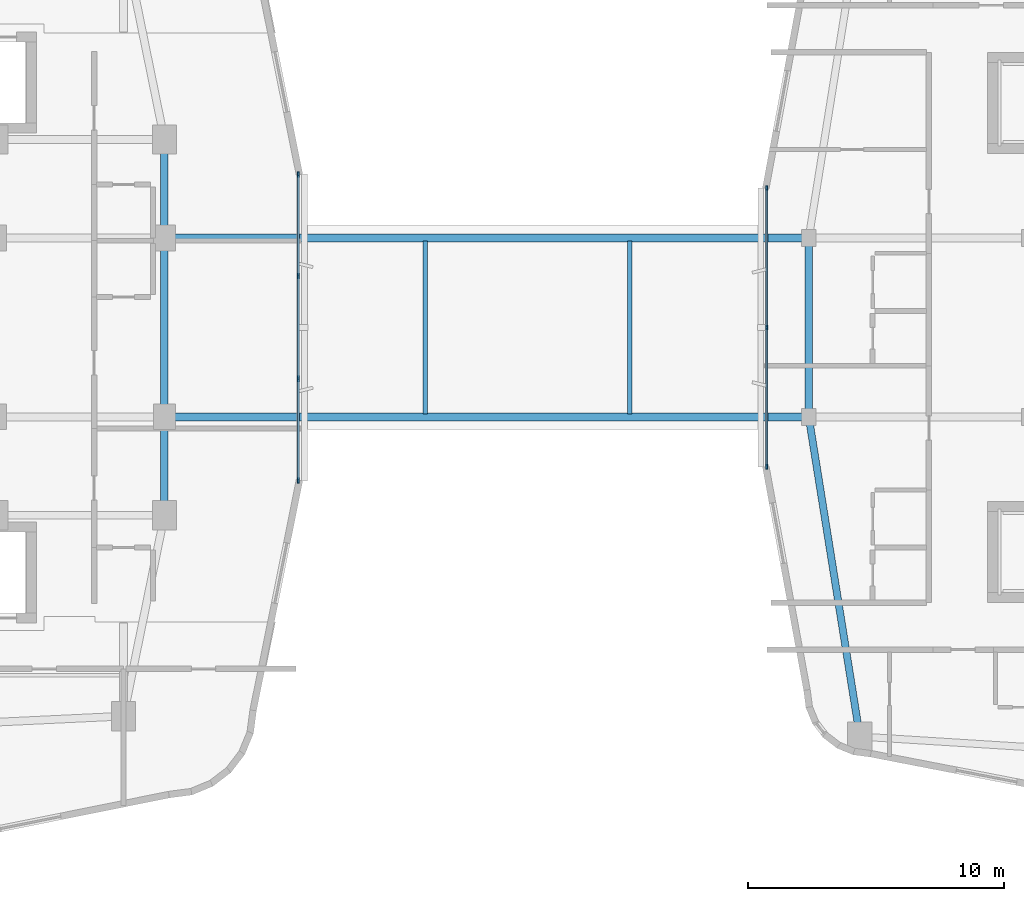
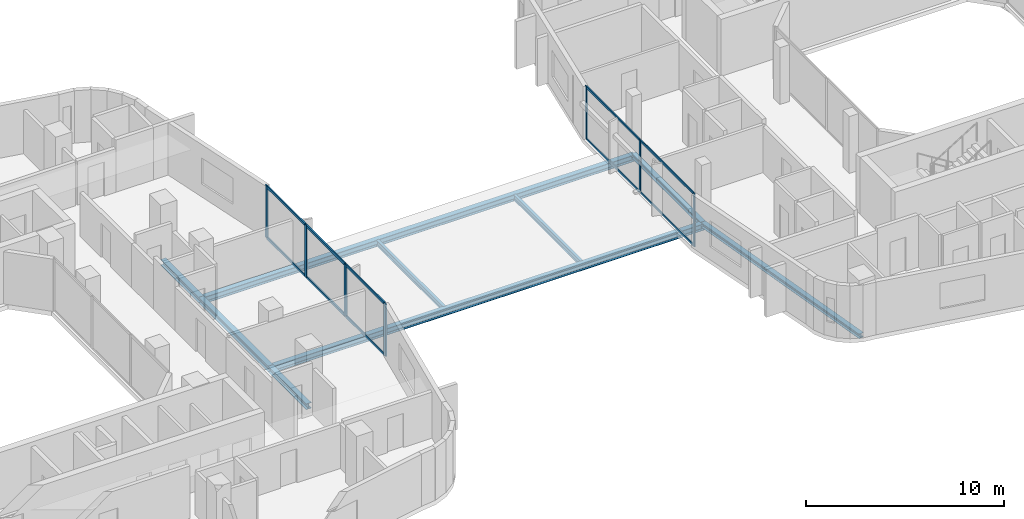
# One storey, part 4 of 22: 17 members, 9 beams, 2 elements without a shape of their own.
"""IFC4 building model written with IfcOpenShell, lengths in metres."""

from ifc_helpers import new_model, si_unit, derived_unit, direction, frame, origin, origin_2d, place, context, subcontext, project, spatial, rectangle, i_section, extrude, material, layer, layer_set, material_profile, profile_set, type_object, element, aggregate, save


model = new_model("IFC4")

# Units and contexts
model_context = context("Model", 3, precision=1e-05, world=origin(), true_north=direction((0.0, 1.0)))
body_context = subcontext(model_context, "Body", "Model", "MODEL_VIEW")
ifc_project = project(units=[si_unit("LENGTHUNIT", "METRE"), si_unit("AREAUNIT", "SQUARE_METRE"), si_unit("VOLUMEUNIT", "CUBIC_METRE"), si_unit("PLANEANGLEUNIT", "RADIAN"), si_unit("MASSUNIT", "GRAM", prefix="KILO"), derived_unit("THERMALTRANSMITTANCEUNIT", [(si_unit("POWERUNIT", "WATT"), 1), (si_unit("LENGTHUNIT", "METRE"), -2), (si_unit("THERMODYNAMICTEMPERATUREUNIT", "KELVIN"), -1)])], contexts=[model_context])

# Site, building, storey
site_placement = place(None, origin())
site = spatial("IfcSite", under=ifc_project, at=site_placement, CompositionType="ELEMENT")
building_placement = place(site_placement, origin())
building = spatial("IfcBuilding", under=site, at=building_placement, Name="Kivonza Crest Hotel", CompositionType="ELEMENT")
storey_placement = place(building_placement, frame((0.0, 0.0, 124.0)))
storey = spatial("IfcBuildingStorey", under=building, at=storey_placement, Name="L33", CompositionType="ELEMENT", Elevation=124.0)

# Beams
ifc_material_1 = material(Name="Steel S355", Category="steel")
ifc_material_profile_1 = material_profile(ifc_material_1, i_section(OverallWidth=0.280029296875, OverallDepth=0.280029296875, WebThickness=0.010498046875, FlangeThickness=0.01806640625, FilletRadius=0.02392578125, at=origin_2d()), Name="HEB 280")
ifc_profile_set_1 = profile_set([ifc_material_profile_1], Name="Steel S355")
beam_type_1 = type_object("IfcBeamType", Name="BM-HEB280", PredefinedType="SPANDREL", material=ifc_profile_set_1)
beam_1_placement = place(storey_placement, frame((61.0, 28.5, -0.389892578125), z_axis=(0.0, -1.0, 0.0), x_axis=(1.0, 0.0, 0.0)))
element("IfcBeam", 1, at=beam_1_placement, inside=storey, type_object=beam_type_1, Name="Companion Tower T2 L33 perimeter spandrel W2-W1", PredefinedType="SPANDREL", context=body_context, shape_type="SweptSolid", body=[
    extrude(i_section(OverallWidth=0.280029296875, OverallDepth=0.280029296875, WebThickness=0.010498046875, FlangeThickness=0.01806640625, FilletRadius=0.02392578125, at=origin_2d()), origin(), (0.0, 0.0, 1.0), 7.0),
])
beam_2_placement = place(storey_placement, frame((61.0, 21.5, -0.389892578125), z_axis=(0.157990501107, -0.987440631917, 0.0), x_axis=(0.987440631917, 0.157990501107, 0.0)))
element("IfcBeam", 2, at=beam_2_placement, inside=storey, type_object=beam_type_1, Name="Companion Tower T2 L33 perimeter spandrel W1-SW", PredefinedType="SPANDREL", context=body_context, shape_type="SweptSolid", body=[
    extrude(i_section(OverallWidth=0.280029296875, OverallDepth=0.280029296875, WebThickness=0.010498046875, FlangeThickness=0.01806640625, FilletRadius=0.02392578125, at=origin_2d()), origin(), (0.0, 0.0, 1.0), 12.658935546875),
])
ifc_material_profile_2 = material_profile(ifc_material_1, i_section(OverallWidth=0.300048828125, OverallDepth=0.360107421875, WebThickness=0.012451171875, FlangeThickness=0.0224609375, FilletRadius=0.027099609375, at=origin_2d()), Name="HEB 360")
ifc_profile_set_2 = profile_set([ifc_material_profile_2], Name="Steel S355")
beam_type_2 = type_object("IfcBeamType", Name="BM-HEB360", PredefinedType="SPANDREL", material=ifc_profile_set_2)
beam_3_placement = place(storey_placement, frame((35.800048828125, 17.64990234375, -0.4599609375), z_axis=(0.0, 1.0, 0.0), x_axis=(-1.0, 0.0, 0.0)))
element("IfcBeam", 3, at=beam_3_placement, inside=storey, type_object=beam_type_2, Name="Tower T1 L33 perimeter spandrel PSE-E1", PredefinedType="SPANDREL", context=body_context, shape_type="SweptSolid", body=[
    extrude(i_section(OverallWidth=0.300048828125, OverallDepth=0.360107421875, WebThickness=0.012451171875, FlangeThickness=0.0224609375, FilletRadius=0.027099609375, at=origin_2d()), origin(), (0.0, 0.0, 1.0), 3.85009765625),
])
beam_4_placement = place(storey_placement, frame((35.800048828125, 21.5, -0.4599609375), z_axis=(0.0, 1.0, 0.0), x_axis=(-1.0, 0.0, 0.0)))
element("IfcBeam", 4, at=beam_4_placement, inside=storey, type_object=beam_type_2, Name="Tower T1 L33 perimeter spandrel E1-E2", PredefinedType="SPANDREL", context=body_context, shape_type="SweptSolid", body=[
    extrude(i_section(OverallWidth=0.300048828125, OverallDepth=0.360107421875, WebThickness=0.012451171875, FlangeThickness=0.0224609375, FilletRadius=0.027099609375, at=origin_2d()), origin(), (0.0, 0.0, 1.0), 7.0),
])
beam_5_placement = place(storey_placement, frame((35.800048828125, 28.5, -0.4599609375), z_axis=(0.0, 1.0, 0.0), x_axis=(-1.0, 0.0, 0.0)))
element("IfcBeam", 5, at=beam_5_placement, inside=storey, type_object=beam_type_2, Name="Tower T1 L33 perimeter spandrel E2-PNE", PredefinedType="SPANDREL", context=body_context, shape_type="SweptSolid", body=[
    extrude(i_section(OverallWidth=0.300048828125, OverallDepth=0.360107421875, WebThickness=0.012451171875, FlangeThickness=0.0224609375, FilletRadius=0.027099609375, at=origin_2d()), origin(), (0.0, 0.0, 1.0), 3.85009765625),
])
ifc_material_profile_3 = material_profile(ifc_material_1, i_section(OverallWidth=0.300048828125, OverallDepth=0.39990234375, WebThickness=0.013427734375, FlangeThickness=0.02392578125, FilletRadius=0.027099609375, at=origin_2d()), Name="HEB 400")
ifc_profile_set_3 = profile_set([ifc_material_profile_3], Name="Steel S355")
beam_type_3 = type_object("IfcBeamType", Name="BM-HEB400", PredefinedType="BEAM", material=ifc_profile_set_3)
for number, where, z_axis, x_axis, name in (
    (6, (35.800048828125, 21.5, -0.47998046875), (1.0, 0.0, 0.0), (0.0, 1.0, 0.0), "Skybridge BR1 roof South girder"),
    (7, (35.800048828125, 28.5, -0.47998046875), (1.0, 0.0, 0.0), (0.0, 1.0, 0.0), "Skybridge BR1 roof North girder"),
):
    element("IfcBeam", number, at=place(storey_placement, frame(where, z_axis=z_axis, x_axis=x_axis)), inside=storey, type_object=beam_type_3, Name=name, PredefinedType="BEAM", context=body_context, shape_type="SweptSolid", body=[
        extrude(i_section(OverallWidth=0.300048828125, OverallDepth=0.39990234375, WebThickness=0.013427734375, FlangeThickness=0.02392578125, FilletRadius=0.027099609375, at=origin_2d()), origin(), (0.0, 0.0, 1.0), 25.199951171875),
    ])
ifc_material_profile_4 = material_profile(ifc_material_1, i_section(OverallWidth=0.159912109375, OverallDepth=0.330078125, WebThickness=0.007568359375, FlangeThickness=0.011474609375, FilletRadius=0.01806640625, at=origin_2d()), Name="IPE 330")
ifc_profile_set_4 = profile_set([ifc_material_profile_4], Name="Steel S355")
beam_type_4 = type_object("IfcBeamType", Name="BM-IPE330", PredefinedType="JOIST", material=ifc_profile_set_4)
for number, where, z_axis, x_axis, name in (
    (8, (46.0, 21.6201171875, -0.445068359375), (0.0, 1.0, 0.0), (-1.0, 0.0, 0.0), "Skybridge BR1 roof cross purlin 1"),
    (9, (54.0, 21.6201171875, -0.445068359375), (0.0, 1.0, 0.0), (-1.0, 0.0, 0.0), "Skybridge BR1 roof cross purlin 2"),
):
    element("IfcBeam", number, at=place(storey_placement, frame(where, z_axis=z_axis, x_axis=x_axis)), inside=storey, type_object=beam_type_4, Name=name, PredefinedType="JOIST", context=body_context, shape_type="SweptSolid", body=[
        extrude(i_section(OverallWidth=0.159912109375, OverallDepth=0.330078125, WebThickness=0.007568359375, FlangeThickness=0.011474609375, FilletRadius=0.01806640625, at=origin_2d()), origin(), (0.0, 0.0, 1.0), 6.759765625),
    ])

# Curtain wall, members
ifc_material_2 = material(Name="Anodised bronze aluminium and low-E double glazing", Category="aluminium")
ifc_layer_1 = layer(ifc_material_2, 0.179931640625)
ifc_layer_set_1 = layer_set([ifc_layer_1], Name="Anodised bronze aluminium and low-E double glazing")
curtain_wall_type_1 = type_object("IfcCurtainWallType", Name="CW-SYS-4", PredefinedType="NOTDEFINED", material=ifc_layer_set_1)
curtain_wall_1_placement = place(storey_placement, origin())
curtain_wall_1 = element("IfcCurtainWall", 10, at=curtain_wall_1_placement, inside=storey, type_object=curtain_wall_type_1, Name="L33 unitised curtain wall CW-T2-L33-35", PredefinedType="NOTDEFINED")
ifc_material_3 = material(Name="Anodised bronze aluminium", Category="aluminium")
ifc_material_profile_5 = material_profile(ifc_material_3, rectangle(XDim=0.06494140625, YDim=0.179931640625, at=origin_2d()), Name="CW-M 65x180")
ifc_profile_set_5 = profile_set([ifc_material_profile_5], Name="Anodised bronze aluminium")
member_type_1 = type_object("IfcMemberType", Name="CW-MUL-65x180", PredefinedType="MULLION", material=ifc_profile_set_5)
member_1_placement = place(storey_placement, frame((59.360107421875, 30.447509765625, 0.0), z_axis=(0.0, 0.0, 1.0), x_axis=(1.0, 0.0, 0.0)))
member_1 = element("IfcMember", 11, at=member_1_placement, type_object=member_type_1, Name="CW-4 mullion 1", PredefinedType="MULLION", context=body_context, shape_type="SweptSolid", body=[
    extrude(rectangle(XDim=0.06494140625, YDim=0.179931640625, at=origin_2d()), origin(), (0.0, 0.0, 1.0), 3.25),
])
member_2_placement = place(storey_placement, frame((59.360107421875, 25.0, 0.0), z_axis=(0.0, 0.0, 1.0), x_axis=(1.0, 0.0, 0.0)))
member_2 = element("IfcMember", 12, at=member_2_placement, type_object=member_type_1, Name="CW-4 mullion 2", PredefinedType="MULLION", context=body_context, shape_type="SweptSolid", body=[
    extrude(rectangle(XDim=0.06494140625, YDim=0.179931640625, at=origin_2d()), origin(), (0.0, 0.0, 1.0), 3.25),
])
member_3_placement = place(storey_placement, frame((59.360107421875, 19.552490234375, 0.0), z_axis=(0.0, 0.0, 1.0), x_axis=(1.0, 0.0, 0.0)))
member_3 = element("IfcMember", 13, at=member_3_placement, type_object=member_type_1, Name="CW-4 mullion 3", PredefinedType="MULLION", context=body_context, shape_type="SweptSolid", body=[
    extrude(rectangle(XDim=0.06494140625, YDim=0.179931640625, at=origin_2d()), origin(), (0.0, 0.0, 1.0), 3.25),
])

ifc_layer_2 = layer(ifc_material_2, 0.179931640625)
ifc_layer_set_2 = layer_set([ifc_layer_2], Name="Anodised bronze aluminium and low-E double glazing")
curtain_wall_type_2 = type_object("IfcCurtainWallType", Name="CW-SYS-3", PredefinedType="NOTDEFINED", material=ifc_layer_set_2)
curtain_wall_2_placement = place(storey_placement, origin())
curtain_wall_2 = element("IfcCurtainWall", 14, at=curtain_wall_2_placement, inside=storey, type_object=curtain_wall_type_2, Name="L33 unitised curtain wall CW-T1-L33-17", PredefinedType="NOTDEFINED")
ifc_material_profile_6 = material_profile(ifc_material_3, rectangle(XDim=0.074951171875, YDim=0.219970703125, at=origin_2d()), Name="CW-M 75x220")
ifc_profile_set_6 = profile_set([ifc_material_profile_6], Name="Anodised bronze aluminium")
member_type_2 = type_object("IfcMemberType", Name="CW-MUL-75x220", PredefinedType="MULLION", material=ifc_profile_set_6)
member_4_placement = place(storey_placement, frame((41.0400390625, 19.017578125, 0.0), z_axis=(0.0, 0.0, 1.0), x_axis=(-1.0, 0.0, 0.0)))
member_4 = element("IfcMember", 15, at=member_4_placement, type_object=member_type_2, Name="CW-3 mullion 1", PredefinedType="MULLION", context=body_context, shape_type="SweptSolid", body=[
    extrude(rectangle(XDim=0.074951171875, YDim=0.219970703125, at=origin_2d()), origin(), (0.0, 0.0, 1.0), 3.219970703125),
])
member_5_placement = place(storey_placement, frame((41.0400390625, 22.993408203125, 0.0), z_axis=(0.0, 0.0, 1.0), x_axis=(-1.0, 0.0, 0.0)))
member_5 = element("IfcMember", 16, at=member_5_placement, type_object=member_type_2, Name="CW-3 mullion 2", PredefinedType="MULLION", context=body_context, shape_type="SweptSolid", body=[
    extrude(rectangle(XDim=0.074951171875, YDim=0.219970703125, at=origin_2d()), origin(), (0.0, 0.0, 1.0), 3.219970703125),
])
member_6_placement = place(storey_placement, frame((41.0400390625, 27.006591796875, 0.0), z_axis=(0.0, 0.0, 1.0), x_axis=(-1.0, 0.0, 0.0)))
member_6 = element("IfcMember", 17, at=member_6_placement, type_object=member_type_2, Name="CW-3 mullion 3", PredefinedType="MULLION", context=body_context, shape_type="SweptSolid", body=[
    extrude(rectangle(XDim=0.074951171875, YDim=0.219970703125, at=origin_2d()), origin(), (0.0, 0.0, 1.0), 3.219970703125),
])
member_7_placement = place(storey_placement, frame((41.0400390625, 30.982421875, 0.0), z_axis=(0.0, 0.0, 1.0), x_axis=(-1.0, 0.0, 0.0)))
member_7 = element("IfcMember", 18, at=member_7_placement, type_object=member_type_2, Name="CW-3 mullion 4", PredefinedType="MULLION", context=body_context, shape_type="SweptSolid", body=[
    extrude(rectangle(XDim=0.074951171875, YDim=0.219970703125, at=origin_2d()), origin(), (0.0, 0.0, 1.0), 3.219970703125),
])

# Member
ifc_material_profile_7 = material_profile(ifc_material_3, rectangle(XDim=0.06494140625, YDim=0.139892578125, at=origin_2d()), Name="CW-T 65x140")
ifc_profile_set_7 = profile_set([ifc_material_profile_7], Name="Anodised bronze aluminium")
member_type_3 = type_object("IfcMemberType", Name="CW-TRN-65x140", PredefinedType="USERDEFINED", material=ifc_profile_set_7)
member_8_placement = place(storey_placement, frame((59.360107421875, 30.4150390625, 0.032470703125), z_axis=(0.0, -1.0, 0.0), x_axis=(1.0, 0.0, 0.0)))
member_8 = element("IfcMember", 19, at=member_8_placement, type_object=member_type_3, Name="CW-4 transom 1.1", ObjectType="TRANSOM", PredefinedType="USERDEFINED", context=body_context, shape_type="SweptSolid", body=[
    extrude(rectangle(XDim=0.06494140625, YDim=0.139892578125, at=origin_2d()), origin(), (0.0, 0.0, 1.0), 5.382568359375),
])

member_9_placement = place(storey_placement, frame((59.360107421875, 30.4150390625, 3.217529296875), z_axis=(0.0, -1.0, 0.0), x_axis=(1.0, 0.0, 0.0)))
member_9 = element("IfcMember", 20, at=member_9_placement, type_object=member_type_3, Name="CW-4 transom 1.2", ObjectType="TRANSOM", PredefinedType="USERDEFINED", context=body_context, shape_type="SweptSolid", body=[
    extrude(rectangle(XDim=0.06494140625, YDim=0.139892578125, at=origin_2d()), origin(), (0.0, 0.0, 1.0), 5.382568359375),
])

member_10_placement = place(storey_placement, frame((59.360107421875, 24.967529296875, 0.032470703125), z_axis=(0.0, -1.0, 0.0), x_axis=(1.0, 0.0, 0.0)))
member_10 = element("IfcMember", 21, at=member_10_placement, type_object=member_type_3, Name="CW-4 transom 2.1", ObjectType="TRANSOM", PredefinedType="USERDEFINED", context=body_context, shape_type="SweptSolid", body=[
    extrude(rectangle(XDim=0.06494140625, YDim=0.139892578125, at=origin_2d()), origin(), (0.0, 0.0, 1.0), 5.382568359375),
])

member_11_placement = place(storey_placement, frame((59.360107421875, 24.967529296875, 3.217529296875), z_axis=(0.0, -1.0, 0.0), x_axis=(1.0, 0.0, 0.0)))
member_11 = element("IfcMember", 22, at=member_11_placement, type_object=member_type_3, Name="CW-4 transom 2.2", ObjectType="TRANSOM", PredefinedType="USERDEFINED", context=body_context, shape_type="SweptSolid", body=[
    extrude(rectangle(XDim=0.06494140625, YDim=0.139892578125, at=origin_2d()), origin(), (0.0, 0.0, 1.0), 5.382568359375),
])

aggregate(curtain_wall_1, [member_1, member_2, member_3, member_8, member_9, member_10, member_11])

ifc_material_profile_8 = material_profile(ifc_material_3, rectangle(XDim=0.074951171875, YDim=0.159912109375, at=origin_2d()), Name="CW-T 75x160")
ifc_profile_set_8 = profile_set([ifc_material_profile_8], Name="Anodised bronze aluminium")
member_type_4 = type_object("IfcMemberType", Name="CW-TRN-75x160", PredefinedType="USERDEFINED", material=ifc_profile_set_8)
member_12_placement = place(storey_placement, frame((41.0400390625, 19.054931640625, 0.03759765625), z_axis=(0.0, 1.0, 0.0), x_axis=(-1.0, 0.0, 0.0)))
member_12 = element("IfcMember", 23, at=member_12_placement, type_object=member_type_4, Name="CW-3 transom 1.1", ObjectType="TRANSOM", PredefinedType="USERDEFINED", context=body_context, shape_type="SweptSolid", body=[
    extrude(rectangle(XDim=0.074951171875, YDim=0.159912109375, at=origin_2d()), origin(), (0.0, 0.0, 1.0), 3.90087890625),
])

member_13_placement = place(storey_placement, frame((41.0400390625, 19.054931640625, 3.1826171875), z_axis=(0.0, 1.0, 0.0), x_axis=(-1.0, 0.0, 0.0)))
member_13 = element("IfcMember", 24, at=member_13_placement, type_object=member_type_4, Name="CW-3 transom 1.2", ObjectType="TRANSOM", PredefinedType="USERDEFINED", context=body_context, shape_type="SweptSolid", body=[
    extrude(rectangle(XDim=0.074951171875, YDim=0.159912109375, at=origin_2d()), origin(), (0.0, 0.0, 1.0), 3.90087890625),
])

member_14_placement = place(storey_placement, frame((41.0400390625, 23.03076171875, 0.03759765625), z_axis=(0.0, 1.0, 0.0), x_axis=(-1.0, 0.0, 0.0)))
member_14 = element("IfcMember", 25, at=member_14_placement, type_object=member_type_4, Name="CW-3 transom 2.1", ObjectType="TRANSOM", PredefinedType="USERDEFINED", context=body_context, shape_type="SweptSolid", body=[
    extrude(rectangle(XDim=0.074951171875, YDim=0.159912109375, at=origin_2d()), origin(), (0.0, 0.0, 1.0), 3.9384765625),
])

member_15_placement = place(storey_placement, frame((41.0400390625, 23.03076171875, 3.1826171875), z_axis=(0.0, 1.0, 0.0), x_axis=(-1.0, 0.0, 0.0)))
member_15 = element("IfcMember", 26, at=member_15_placement, type_object=member_type_4, Name="CW-3 transom 2.2", ObjectType="TRANSOM", PredefinedType="USERDEFINED", context=body_context, shape_type="SweptSolid", body=[
    extrude(rectangle(XDim=0.074951171875, YDim=0.159912109375, at=origin_2d()), origin(), (0.0, 0.0, 1.0), 3.9384765625),
])

member_16_placement = place(storey_placement, frame((41.0400390625, 27.044189453125, 0.03759765625), z_axis=(0.0, 1.0, 0.0), x_axis=(-1.0, 0.0, 0.0)))
member_16 = element("IfcMember", 27, at=member_16_placement, type_object=member_type_4, Name="CW-3 transom 3.1", ObjectType="TRANSOM", PredefinedType="USERDEFINED", context=body_context, shape_type="SweptSolid", body=[
    extrude(rectangle(XDim=0.074951171875, YDim=0.159912109375, at=origin_2d()), origin(), (0.0, 0.0, 1.0), 3.90087890625),
])

member_17_placement = place(storey_placement, frame((41.0400390625, 27.044189453125, 3.1826171875), z_axis=(0.0, 1.0, 0.0), x_axis=(-1.0, 0.0, 0.0)))
member_17 = element("IfcMember", 28, at=member_17_placement, type_object=member_type_4, Name="CW-3 transom 3.2", ObjectType="TRANSOM", PredefinedType="USERDEFINED", context=body_context, shape_type="SweptSolid", body=[
    extrude(rectangle(XDim=0.074951171875, YDim=0.159912109375, at=origin_2d()), origin(), (0.0, 0.0, 1.0), 3.90087890625),
])

aggregate(curtain_wall_2, [member_4, member_5, member_6, member_7, member_12, member_13, member_14, member_15, member_16, member_17])

save(model, "model.ifc")
